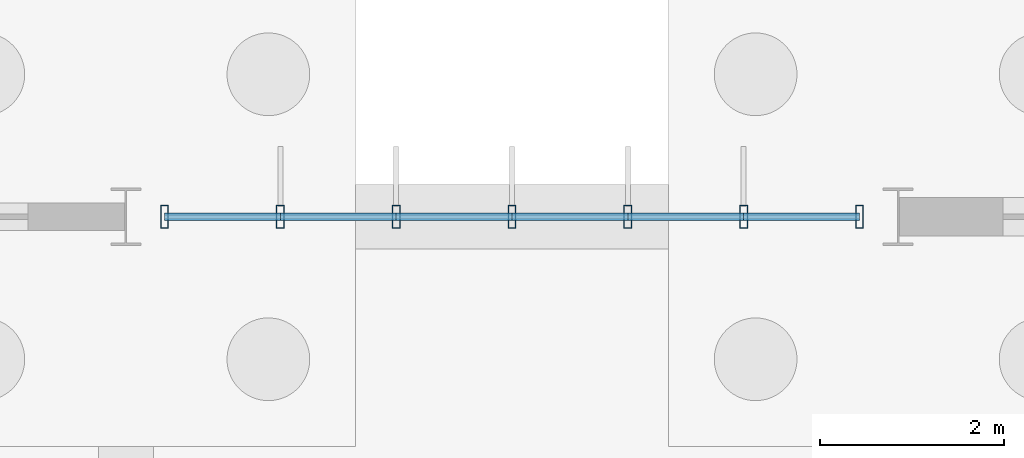
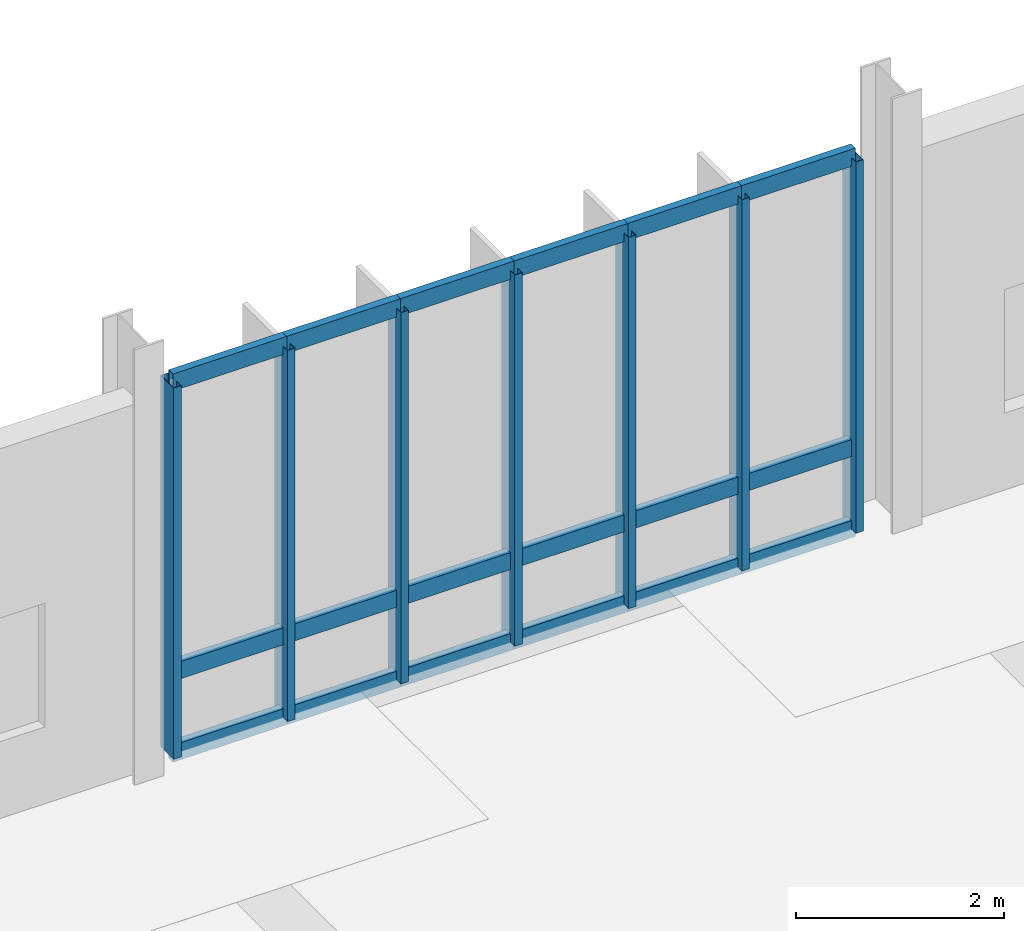
# One storey, part 60 of 119: 25 members, 1 element without a shape of its own.
"""IFC4 building model written with IfcOpenShell, lengths in metres."""

from ifc_helpers import new_model, si_unit, derived_unit, direction, frame, origin, origin_2d, place, context, subcontext, project, spatial, hollow_rectangle, extrude, material, layer, layer_set, material_profile, profile_set, type_object, element, aggregate, save


model = new_model("IFC4")

# Units and contexts
model_context = context("Model", 3, precision=1e-05, world=origin(), true_north=direction((0.0, 1.0)))
body_context = subcontext(model_context, "Body", "Model", "MODEL_VIEW")
ifc_project = project(units=[si_unit("LENGTHUNIT", "METRE"), si_unit("AREAUNIT", "SQUARE_METRE"), si_unit("VOLUMEUNIT", "CUBIC_METRE"), si_unit("PLANEANGLEUNIT", "RADIAN"), si_unit("MASSUNIT", "GRAM", prefix="KILO"), derived_unit("THERMALTRANSMITTANCEUNIT", [(si_unit("MASSUNIT", "GRAM", prefix="KILO"), 1), (si_unit("TIMEUNIT", "SECOND"), -3), (si_unit("THERMODYNAMICTEMPERATUREUNIT", "KELVIN"), -1)])], contexts=[model_context])

# Site, building, storey
site_placement = place(None, origin())
site = spatial("IfcSite", under=ifc_project, at=site_placement, CompositionType="ELEMENT")
building_placement = place(site_placement, origin())
building = spatial("IfcBuilding", under=site, at=building_placement, Name="Makaiwela Harbour Ferry Terminal", CompositionType="ELEMENT")
storey_placement = place(building_placement, origin())
storey = spatial("IfcBuildingStorey", under=building, at=storey_placement, Name="L00", CompositionType="ELEMENT", Elevation=0.0)

# Curtain wall, members
ifc_material = material(Name="Marine anodised aluminium 6063-T6", Category="aluminium")
ifc_layer = layer(ifc_material, 0.199951171875)
ifc_layer_set = layer_set([ifc_layer], Name="Marine anodised aluminium 6063-T6")
curtain_wall_type = type_object("IfcCurtainWallType", Name="ENV-CW-10", PredefinedType="USERDEFINED", material=ifc_layer_set)
curtain_wall_placement = place(storey_placement, origin())
curtain_wall = element("IfcCurtainWall", 1, at=curtain_wall_placement, inside=storey, type_object=curtain_wall_type, Name="Unitised Curtain Wall CWA-090", ObjectType="UNITIZED CURTAIN WALL", PredefinedType="USERDEFINED")
ifc_material_profile_1 = material_profile(ifc_material, hollow_rectangle(XDim=0.0849609375, YDim=0.25, WallThickness=0.0048828125, at=origin_2d()), Name="CWM-250X85")
ifc_profile_set_1 = profile_set([ifc_material_profile_1], Name="Marine anodised aluminium 6063-T6")
member_type_1 = type_object("IfcMemberType", Name="CW-MUL-250", PredefinedType="MULLION", material=ifc_profile_set_1)
member_1_placement = place(storey_placement, frame((122.219970703125, 103.39990234375, 0.0), z_axis=(0.0, 0.0, 1.0), x_axis=(1.0, 0.0, 0.0)))
member_1 = element("IfcMember", 2, at=member_1_placement, type_object=member_type_1, Name="Curtain Wall Mullion CWA-090-1", PredefinedType="MULLION", context=body_context, shape_type="SweptSolid", body=[
    extrude(hollow_rectangle(XDim=0.0849609375, YDim=0.25, WallThickness=0.0048828125, at=origin_2d()), origin(), (0.0, 0.0, 1.0), 4.35009765625),
])
member_2_placement = place(storey_placement, frame((123.47998046875, 103.39990234375, 0.0), z_axis=(0.0, 0.0, 1.0), x_axis=(1.0, 0.0, 0.0)))
member_2 = element("IfcMember", 3, at=member_2_placement, type_object=member_type_1, Name="Curtain Wall Mullion CWA-090-2", PredefinedType="MULLION", context=body_context, shape_type="SweptSolid", body=[
    extrude(hollow_rectangle(XDim=0.0849609375, YDim=0.25, WallThickness=0.0048828125, at=origin_2d()), origin(), (0.0, 0.0, 1.0), 4.35009765625),
])
member_3_placement = place(storey_placement, frame((124.739990234375, 103.39990234375, 0.0), z_axis=(0.0, 0.0, 1.0), x_axis=(1.0, 0.0, 0.0)))
member_3 = element("IfcMember", 4, at=member_3_placement, type_object=member_type_1, Name="Curtain Wall Mullion CWA-090-3", PredefinedType="MULLION", context=body_context, shape_type="SweptSolid", body=[
    extrude(hollow_rectangle(XDim=0.0849609375, YDim=0.25, WallThickness=0.0048828125, at=origin_2d()), origin(), (0.0, 0.0, 1.0), 4.35009765625),
])
member_4_placement = place(storey_placement, frame((126.0, 103.39990234375, 0.0), z_axis=(0.0, 0.0, 1.0), x_axis=(1.0, 0.0, 0.0)))
member_4 = element("IfcMember", 5, at=member_4_placement, type_object=member_type_1, Name="Curtain Wall Mullion CWA-090-4", PredefinedType="MULLION", context=body_context, shape_type="SweptSolid", body=[
    extrude(hollow_rectangle(XDim=0.0849609375, YDim=0.25, WallThickness=0.0048828125, at=origin_2d()), origin(), (0.0, 0.0, 1.0), 4.35009765625),
])
member_5_placement = place(storey_placement, frame((127.260009765625, 103.39990234375, 0.0), z_axis=(0.0, 0.0, 1.0), x_axis=(1.0, 0.0, 0.0)))
member_5 = element("IfcMember", 6, at=member_5_placement, type_object=member_type_1, Name="Curtain Wall Mullion CWA-090-5", PredefinedType="MULLION", context=body_context, shape_type="SweptSolid", body=[
    extrude(hollow_rectangle(XDim=0.0849609375, YDim=0.25, WallThickness=0.0048828125, at=origin_2d()), origin(), (0.0, 0.0, 1.0), 4.35009765625),
])
member_6_placement = place(storey_placement, frame((128.52001953125, 103.39990234375, 0.0), z_axis=(0.0, 0.0, 1.0), x_axis=(1.0, 0.0, 0.0)))
member_6 = element("IfcMember", 7, at=member_6_placement, type_object=member_type_1, Name="Curtain Wall Mullion CWA-090-6", PredefinedType="MULLION", context=body_context, shape_type="SweptSolid", body=[
    extrude(hollow_rectangle(XDim=0.0849609375, YDim=0.25, WallThickness=0.0048828125, at=origin_2d()), origin(), (0.0, 0.0, 1.0), 4.35009765625),
])
member_7_placement = place(storey_placement, frame((129.780029296875, 103.39990234375, 0.0), z_axis=(0.0, 0.0, 1.0), x_axis=(1.0, 0.0, 0.0)))
member_7 = element("IfcMember", 8, at=member_7_placement, type_object=member_type_1, Name="Curtain Wall Mullion CWA-090-7", PredefinedType="MULLION", context=body_context, shape_type="SweptSolid", body=[
    extrude(hollow_rectangle(XDim=0.0849609375, YDim=0.25, WallThickness=0.0048828125, at=origin_2d()), origin(), (0.0, 0.0, 1.0), 4.35009765625),
])
ifc_material_profile_2 = material_profile(ifc_material, hollow_rectangle(XDim=0.0849609375, YDim=0.199951171875, WallThickness=0.0048828125, at=origin_2d()), Name="CWT-200X85")
ifc_profile_set_2 = profile_set([ifc_material_profile_2], Name="Marine anodised aluminium 6063-T6")
member_type_2 = type_object("IfcMemberType", Name="CW-TRN-200", PredefinedType="USERDEFINED", material=ifc_profile_set_2)
member_8_placement = place(storey_placement, frame((122.219970703125, 103.39990234375, 0.0), z_axis=(1.0, 0.0, 0.0), x_axis=(0.0, 1.0, 0.0)))
member_8 = element("IfcMember", 9, at=member_8_placement, type_object=member_type_2, Name="Curtain Wall Transom CWA-090-1-1", ObjectType="TRANSOM", PredefinedType="USERDEFINED", context=body_context, shape_type="SweptSolid", body=[
    extrude(hollow_rectangle(XDim=0.0849609375, YDim=0.199951171875, WallThickness=0.0048828125, at=origin_2d()), origin(), (0.0, 0.0, 1.0), 1.260009765625),
])
member_9_placement = place(storey_placement, frame((122.219970703125, 103.39990234375, 0.949951171875), z_axis=(1.0, 0.0, 0.0), x_axis=(0.0, 1.0, 0.0)))
member_9 = element("IfcMember", 10, at=member_9_placement, type_object=member_type_2, Name="Curtain Wall Transom CWA-090-1-2", ObjectType="TRANSOM", PredefinedType="USERDEFINED", context=body_context, shape_type="SweptSolid", body=[
    extrude(hollow_rectangle(XDim=0.0849609375, YDim=0.199951171875, WallThickness=0.0048828125, at=origin_2d()), origin(), (0.0, 0.0, 1.0), 1.260009765625),
])
member_10_placement = place(storey_placement, frame((122.219970703125, 103.39990234375, 4.35009765625), z_axis=(1.0, 0.0, 0.0), x_axis=(0.0, 1.0, 0.0)))
member_10 = element("IfcMember", 11, at=member_10_placement, type_object=member_type_2, Name="Curtain Wall Transom CWA-090-1-3", ObjectType="TRANSOM", PredefinedType="USERDEFINED", context=body_context, shape_type="SweptSolid", body=[
    extrude(hollow_rectangle(XDim=0.0849609375, YDim=0.199951171875, WallThickness=0.0048828125, at=origin_2d()), origin(), (0.0, 0.0, 1.0), 1.260009765625),
])
member_11_placement = place(storey_placement, frame((123.47998046875, 103.39990234375, 0.0), z_axis=(1.0, 0.0, 0.0), x_axis=(0.0, 1.0, 0.0)))
member_11 = element("IfcMember", 12, at=member_11_placement, type_object=member_type_2, Name="Curtain Wall Transom CWA-090-2-1", ObjectType="TRANSOM", PredefinedType="USERDEFINED", context=body_context, shape_type="SweptSolid", body=[
    extrude(hollow_rectangle(XDim=0.0849609375, YDim=0.199951171875, WallThickness=0.0048828125, at=origin_2d()), origin(), (0.0, 0.0, 1.0), 1.260009765625),
])
member_12_placement = place(storey_placement, frame((123.47998046875, 103.39990234375, 0.949951171875), z_axis=(1.0, 0.0, 0.0), x_axis=(0.0, 1.0, 0.0)))
member_12 = element("IfcMember", 13, at=member_12_placement, type_object=member_type_2, Name="Curtain Wall Transom CWA-090-2-2", ObjectType="TRANSOM", PredefinedType="USERDEFINED", context=body_context, shape_type="SweptSolid", body=[
    extrude(hollow_rectangle(XDim=0.0849609375, YDim=0.199951171875, WallThickness=0.0048828125, at=origin_2d()), origin(), (0.0, 0.0, 1.0), 1.260009765625),
])
member_13_placement = place(storey_placement, frame((123.47998046875, 103.39990234375, 4.35009765625), z_axis=(1.0, 0.0, 0.0), x_axis=(0.0, 1.0, 0.0)))
member_13 = element("IfcMember", 14, at=member_13_placement, type_object=member_type_2, Name="Curtain Wall Transom CWA-090-2-3", ObjectType="TRANSOM", PredefinedType="USERDEFINED", context=body_context, shape_type="SweptSolid", body=[
    extrude(hollow_rectangle(XDim=0.0849609375, YDim=0.199951171875, WallThickness=0.0048828125, at=origin_2d()), origin(), (0.0, 0.0, 1.0), 1.260009765625),
])
member_14_placement = place(storey_placement, frame((124.739990234375, 103.39990234375, 0.0), z_axis=(1.0, 0.0, 0.0), x_axis=(0.0, 1.0, 0.0)))
member_14 = element("IfcMember", 15, at=member_14_placement, type_object=member_type_2, Name="Curtain Wall Transom CWA-090-3-1", ObjectType="TRANSOM", PredefinedType="USERDEFINED", context=body_context, shape_type="SweptSolid", body=[
    extrude(hollow_rectangle(XDim=0.0849609375, YDim=0.199951171875, WallThickness=0.0048828125, at=origin_2d()), origin(), (0.0, 0.0, 1.0), 1.260009765625),
])
member_15_placement = place(storey_placement, frame((124.739990234375, 103.39990234375, 0.949951171875), z_axis=(1.0, 0.0, 0.0), x_axis=(0.0, 1.0, 0.0)))
member_15 = element("IfcMember", 16, at=member_15_placement, type_object=member_type_2, Name="Curtain Wall Transom CWA-090-3-2", ObjectType="TRANSOM", PredefinedType="USERDEFINED", context=body_context, shape_type="SweptSolid", body=[
    extrude(hollow_rectangle(XDim=0.0849609375, YDim=0.199951171875, WallThickness=0.0048828125, at=origin_2d()), origin(), (0.0, 0.0, 1.0), 1.260009765625),
])
member_16_placement = place(storey_placement, frame((124.739990234375, 103.39990234375, 4.35009765625), z_axis=(1.0, 0.0, 0.0), x_axis=(0.0, 1.0, 0.0)))
member_16 = element("IfcMember", 17, at=member_16_placement, type_object=member_type_2, Name="Curtain Wall Transom CWA-090-3-3", ObjectType="TRANSOM", PredefinedType="USERDEFINED", context=body_context, shape_type="SweptSolid", body=[
    extrude(hollow_rectangle(XDim=0.0849609375, YDim=0.199951171875, WallThickness=0.0048828125, at=origin_2d()), origin(), (0.0, 0.0, 1.0), 1.260009765625),
])
member_17_placement = place(storey_placement, frame((126.0, 103.39990234375, 0.0), z_axis=(1.0, 0.0, 0.0), x_axis=(0.0, 1.0, 0.0)))
member_17 = element("IfcMember", 18, at=member_17_placement, type_object=member_type_2, Name="Curtain Wall Transom CWA-090-4-1", ObjectType="TRANSOM", PredefinedType="USERDEFINED", context=body_context, shape_type="SweptSolid", body=[
    extrude(hollow_rectangle(XDim=0.0849609375, YDim=0.199951171875, WallThickness=0.0048828125, at=origin_2d()), origin(), (0.0, 0.0, 1.0), 1.260009765625),
])
member_18_placement = place(storey_placement, frame((126.0, 103.39990234375, 0.949951171875), z_axis=(1.0, 0.0, 0.0), x_axis=(0.0, 1.0, 0.0)))
member_18 = element("IfcMember", 19, at=member_18_placement, type_object=member_type_2, Name="Curtain Wall Transom CWA-090-4-2", ObjectType="TRANSOM", PredefinedType="USERDEFINED", context=body_context, shape_type="SweptSolid", body=[
    extrude(hollow_rectangle(XDim=0.0849609375, YDim=0.199951171875, WallThickness=0.0048828125, at=origin_2d()), origin(), (0.0, 0.0, 1.0), 1.260009765625),
])
member_19_placement = place(storey_placement, frame((126.0, 103.39990234375, 4.35009765625), z_axis=(1.0, 0.0, 0.0), x_axis=(0.0, 1.0, 0.0)))
member_19 = element("IfcMember", 20, at=member_19_placement, type_object=member_type_2, Name="Curtain Wall Transom CWA-090-4-3", ObjectType="TRANSOM", PredefinedType="USERDEFINED", context=body_context, shape_type="SweptSolid", body=[
    extrude(hollow_rectangle(XDim=0.0849609375, YDim=0.199951171875, WallThickness=0.0048828125, at=origin_2d()), origin(), (0.0, 0.0, 1.0), 1.260009765625),
])
member_20_placement = place(storey_placement, frame((127.260009765625, 103.39990234375, 0.0), z_axis=(1.0, 0.0, 0.0), x_axis=(0.0, 1.0, 0.0)))
member_20 = element("IfcMember", 21, at=member_20_placement, type_object=member_type_2, Name="Curtain Wall Transom CWA-090-5-1", ObjectType="TRANSOM", PredefinedType="USERDEFINED", context=body_context, shape_type="SweptSolid", body=[
    extrude(hollow_rectangle(XDim=0.0849609375, YDim=0.199951171875, WallThickness=0.0048828125, at=origin_2d()), origin(), (0.0, 0.0, 1.0), 1.260009765625),
])
member_21_placement = place(storey_placement, frame((127.260009765625, 103.39990234375, 0.949951171875), z_axis=(1.0, 0.0, 0.0), x_axis=(0.0, 1.0, 0.0)))
member_21 = element("IfcMember", 22, at=member_21_placement, type_object=member_type_2, Name="Curtain Wall Transom CWA-090-5-2", ObjectType="TRANSOM", PredefinedType="USERDEFINED", context=body_context, shape_type="SweptSolid", body=[
    extrude(hollow_rectangle(XDim=0.0849609375, YDim=0.199951171875, WallThickness=0.0048828125, at=origin_2d()), origin(), (0.0, 0.0, 1.0), 1.260009765625),
])
member_22_placement = place(storey_placement, frame((127.260009765625, 103.39990234375, 4.35009765625), z_axis=(1.0, 0.0, 0.0), x_axis=(0.0, 1.0, 0.0)))
member_22 = element("IfcMember", 23, at=member_22_placement, type_object=member_type_2, Name="Curtain Wall Transom CWA-090-5-3", ObjectType="TRANSOM", PredefinedType="USERDEFINED", context=body_context, shape_type="SweptSolid", body=[
    extrude(hollow_rectangle(XDim=0.0849609375, YDim=0.199951171875, WallThickness=0.0048828125, at=origin_2d()), origin(), (0.0, 0.0, 1.0), 1.260009765625),
])
member_23_placement = place(storey_placement, frame((128.52001953125, 103.39990234375, 0.0), z_axis=(1.0, 0.0, 0.0), x_axis=(0.0, 1.0, 0.0)))
member_23 = element("IfcMember", 24, at=member_23_placement, type_object=member_type_2, Name="Curtain Wall Transom CWA-090-6-1", ObjectType="TRANSOM", PredefinedType="USERDEFINED", context=body_context, shape_type="SweptSolid", body=[
    extrude(hollow_rectangle(XDim=0.0849609375, YDim=0.199951171875, WallThickness=0.0048828125, at=origin_2d()), origin(), (0.0, 0.0, 1.0), 1.260009765625),
])
member_24_placement = place(storey_placement, frame((128.52001953125, 103.39990234375, 0.949951171875), z_axis=(1.0, 0.0, 0.0), x_axis=(0.0, 1.0, 0.0)))
member_24 = element("IfcMember", 25, at=member_24_placement, type_object=member_type_2, Name="Curtain Wall Transom CWA-090-6-2", ObjectType="TRANSOM", PredefinedType="USERDEFINED", context=body_context, shape_type="SweptSolid", body=[
    extrude(hollow_rectangle(XDim=0.0849609375, YDim=0.199951171875, WallThickness=0.0048828125, at=origin_2d()), origin(), (0.0, 0.0, 1.0), 1.260009765625),
])
member_25_placement = place(storey_placement, frame((128.52001953125, 103.39990234375, 4.35009765625), z_axis=(1.0, 0.0, 0.0), x_axis=(0.0, 1.0, 0.0)))
member_25 = element("IfcMember", 26, at=member_25_placement, type_object=member_type_2, Name="Curtain Wall Transom CWA-090-6-3", ObjectType="TRANSOM", PredefinedType="USERDEFINED", context=body_context, shape_type="SweptSolid", body=[
    extrude(hollow_rectangle(XDim=0.0849609375, YDim=0.199951171875, WallThickness=0.0048828125, at=origin_2d()), origin(), (0.0, 0.0, 1.0), 1.260009765625),
])
aggregate(curtain_wall, [member_1, member_2, member_3, member_4, member_5, member_6, member_7, member_8, member_9, member_10, member_11, member_12, member_13, member_14, member_15, member_16, member_17, member_18, member_19, member_20, member_21, member_22, member_23, member_24, member_25])

save(model, "model.ifc")
